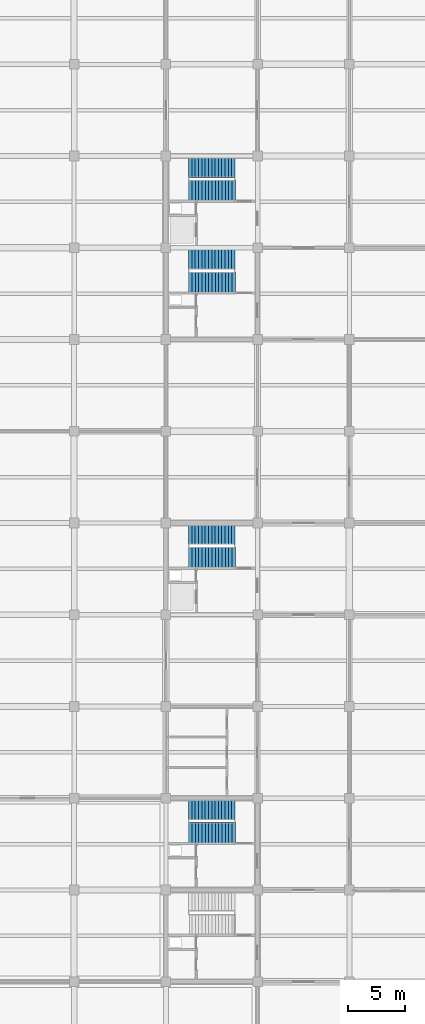
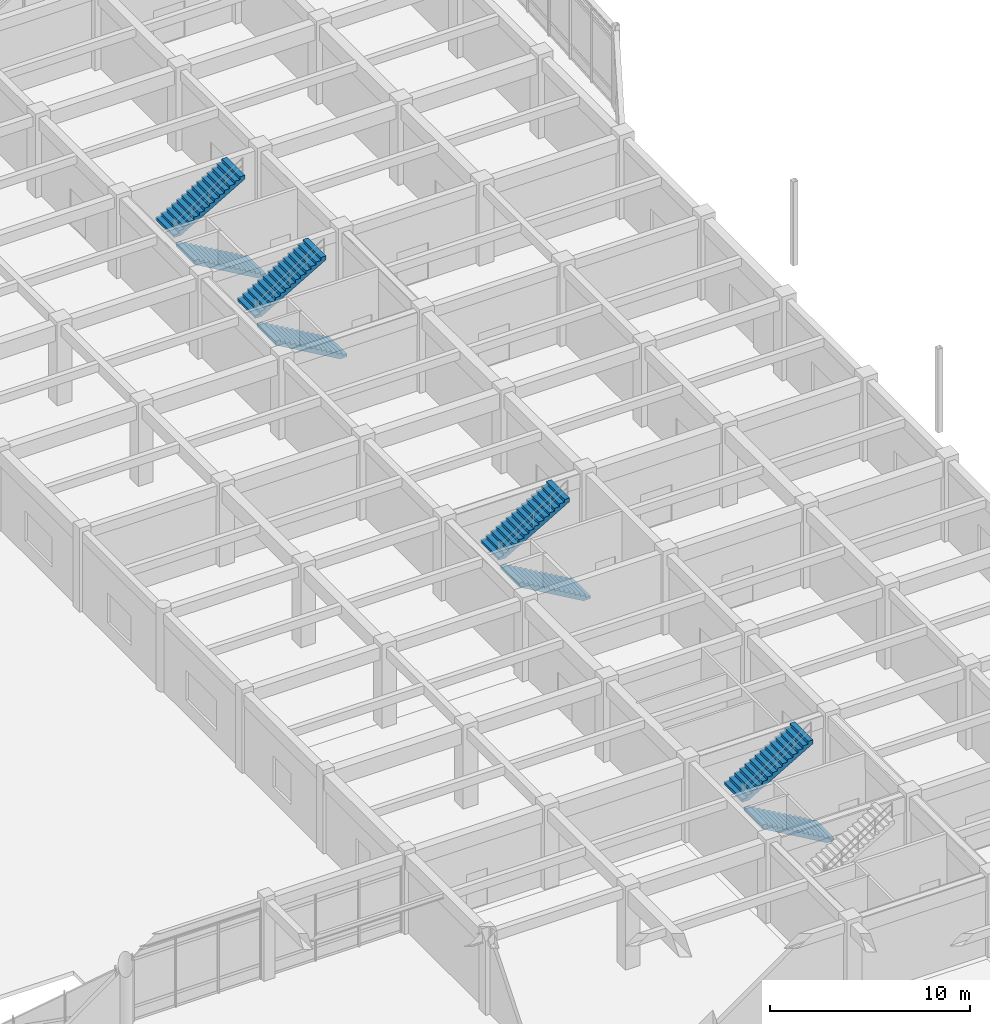
# One storey, part 75 of 99: 8 stair flights, 4 elements without a shape of their own.
"""IFC4 building model written with IfcOpenShell, lengths in metres."""

from ifc_helpers import new_model, si_unit, direction, frame, origin, place, context, subcontext, project, spatial, polyline, outline, extrude, material, type_object, element, aggregate, save


model = new_model("IFC4")

# Units and contexts
model_context = context("Model", 3, precision=1e-05, world=origin(), true_north=direction((0.0, 1.0)))
body_context = subcontext(model_context, "Body", "Model", "MODEL_VIEW")
ifc_project = project(units=[si_unit("LENGTHUNIT", "METRE"), si_unit("AREAUNIT", "SQUARE_METRE"), si_unit("VOLUMEUNIT", "CUBIC_METRE"), si_unit("PLANEANGLEUNIT", "RADIAN"), si_unit("MASSUNIT", "GRAM", prefix="KILO")], contexts=[model_context])

# Site, building, storey
site_placement = place(None, origin())
site = spatial("IfcSite", under=ifc_project, at=site_placement, CompositionType="ELEMENT")
building_placement = place(site_placement, origin())
building = spatial("IfcBuilding", under=site, at=building_placement, Name="Vaudrelin Polytechnic", CompositionType="ELEMENT")
storey_placement = place(building_placement, origin())
storey = spatial("IfcBuildingStorey", under=building, at=storey_placement, Name="L00", CompositionType="ELEMENT", Elevation=0.0)

# Stair, stair flights
ifc_material = material(Name="Concrete 35 MPa", Category="concrete")
stair_type = type_object("IfcStairType", Name="STR-ST-CORE", PredefinedType="TWO_STRAIGHT_RUN_STAIR", material=ifc_material)
stair_1_placement = place(storey_placement, origin())
stair_1 = element("IfcStair", 1, at=stair_1_placement, inside=storey, type_object=stair_type, Name="Exit stair ST-06-L00", PredefinedType="TWO_STRAIGHT_RUN_STAIR")
stair_flight_type = type_object("IfcStairFlightType", Name="STF-STF-CORE", PredefinedType="STRAIGHT", material=ifc_material)
stair_flight_1_placement = place(storey_placement, frame((151.93994140625, 102.27001953125, 0.0), z_axis=(0.0, 0.0, 1.0), x_axis=(-1.0, 0.0, 0.0)))
stair_flight_1 = element("IfcStairFlight", 2, at=stair_flight_1_placement, type_object=stair_flight_type, Name="ST-06-L00 flight 1", NumberOfRisers=15, NumberOfTreads=14, PredefinedType="STRAIGHT", RiserHeight=0.17, TreadLength=0.295, context=body_context, shape_type="SweptSolid", body=[
    extrude(outline(polyline([(0.0, 0.0), (0.0, 0.169921875), (0.294921875, 0.169921875), (0.294921875, 0.340087890625), (0.590087890625, 0.340087890625), (0.590087890625, 0.510009765625), (0.885009765625, 0.510009765625), (0.885009765625, 0.679931640625), (1.179931640625, 0.679931640625), (1.179931640625, 0.85009765625), (1.47509765625, 0.85009765625), (1.47509765625, 1.02001953125), (1.77001953125, 1.02001953125), (1.77001953125, 1.18994140625), (2.06494140625, 1.18994140625), (2.06494140625, 1.360107421875), (2.360107421875, 1.360107421875), (2.360107421875, 1.530029296875), (2.655029296875, 1.530029296875), (2.655029296875, 1.699951171875), (2.949951171875, 1.699951171875), (2.949951171875, 1.8701171875), (3.2451171875, 1.8701171875), (3.2451171875, 2.0400390625), (3.5400390625, 2.0400390625), (3.5400390625, 2.2099609375), (3.8349609375, 2.2099609375), (3.8349609375, 2.3798828125), (4.1298828125, 2.3798828125), (4.1298828125, 2.550048828125), (4.1298828125, 2.149169921875), (0.400390625, 0.0), (0.0, 0.0)])), frame((0.0, 0.91015625, 0.0), z_axis=(0.0, -1.0, 0.0), x_axis=(1.0, 0.0, 0.0)), (0.0, 0.0, 1.0), 1.820068359375),
])
stair_flight_2_placement = place(storey_placement, frame((147.81005859375, 104.2900390625, 2.550048828125), z_axis=(0.0, 0.0, 1.0), x_axis=(1.0, 0.0, 0.0)))
stair_flight_2 = element("IfcStairFlight", 3, at=stair_flight_2_placement, type_object=stair_flight_type, Name="ST-06-L00 flight 2", NumberOfRisers=15, NumberOfTreads=14, PredefinedType="STRAIGHT", RiserHeight=0.17, TreadLength=0.29214, context=body_context, shape_type="SweptSolid", body=[
    extrude(outline(polyline([(0.0, 0.0), (0.0, 0.169921875), (0.292236328125, 0.169921875), (0.292236328125, 0.340087890625), (0.584228515625, 0.340087890625), (0.584228515625, 0.510009765625), (0.87646484375, 0.510009765625), (0.87646484375, 0.679931640625), (1.16845703125, 0.679931640625), (1.16845703125, 0.85009765625), (1.460693359375, 0.85009765625), (1.460693359375, 1.02001953125), (1.7529296875, 1.02001953125), (1.7529296875, 1.18994140625), (2.044921875, 1.18994140625), (2.044921875, 1.360107421875), (2.337158203125, 1.360107421875), (2.337158203125, 1.530029296875), (2.629150390625, 1.530029296875), (2.629150390625, 1.699951171875), (2.92138671875, 1.699951171875), (2.92138671875, 1.8701171875), (3.213623046875, 1.8701171875), (3.213623046875, 2.0400390625), (3.505615234375, 2.0400390625), (3.505615234375, 2.2099609375), (3.7978515625, 2.2099609375), (3.7978515625, 2.3798828125), (4.08984375, 2.3798828125), (4.08984375, 2.550048828125), (4.08984375, 2.148681640625), (0.3974609375, 0.0), (0.0, 0.0)])), frame((0.0, 0.91015625, 0.0), z_axis=(0.0, -1.0, 0.0), x_axis=(1.0, 0.0, 0.0)), (0.0, 0.0, 1.0), 1.820068359375),
])
aggregate(stair_1, [stair_flight_1, stair_flight_2])

stair_2_placement = place(storey_placement, origin())
stair_2 = element("IfcStair", 4, at=stair_2_placement, inside=storey, type_object=stair_type, Name="Exit stair ST-07-L00", PredefinedType="TWO_STRAIGHT_RUN_STAIR")
stair_flight_3_placement = place(storey_placement, frame((151.93994140625, 69.8701171875, 0.0), z_axis=(0.0, 0.0, 1.0), x_axis=(-1.0, 0.0, 0.0)))
stair_flight_3 = element("IfcStairFlight", 5, at=stair_flight_3_placement, type_object=stair_flight_type, Name="ST-07-L00 flight 1", NumberOfRisers=15, NumberOfTreads=14, PredefinedType="STRAIGHT", RiserHeight=0.17, TreadLength=0.295, context=body_context, shape_type="SweptSolid", body=[
    extrude(outline(polyline([(0.0, 0.0), (0.0, 0.169921875), (0.294921875, 0.169921875), (0.294921875, 0.340087890625), (0.590087890625, 0.340087890625), (0.590087890625, 0.510009765625), (0.885009765625, 0.510009765625), (0.885009765625, 0.679931640625), (1.179931640625, 0.679931640625), (1.179931640625, 0.85009765625), (1.47509765625, 0.85009765625), (1.47509765625, 1.02001953125), (1.77001953125, 1.02001953125), (1.77001953125, 1.18994140625), (2.06494140625, 1.18994140625), (2.06494140625, 1.360107421875), (2.360107421875, 1.360107421875), (2.360107421875, 1.530029296875), (2.655029296875, 1.530029296875), (2.655029296875, 1.699951171875), (2.949951171875, 1.699951171875), (2.949951171875, 1.8701171875), (3.2451171875, 1.8701171875), (3.2451171875, 2.0400390625), (3.5400390625, 2.0400390625), (3.5400390625, 2.2099609375), (3.8349609375, 2.2099609375), (3.8349609375, 2.3798828125), (4.1298828125, 2.3798828125), (4.1298828125, 2.550048828125), (4.1298828125, 2.149169921875), (0.400390625, 0.0), (0.0, 0.0)])), frame((0.0, 0.91015625, 0.0), z_axis=(0.0, -1.0, 0.0), x_axis=(1.0, 0.0, 0.0)), (0.0, 0.0, 1.0), 1.820068359375),
])
stair_flight_4_placement = place(storey_placement, frame((147.81005859375, 71.889892578125, 2.550048828125), z_axis=(0.0, 0.0, 1.0), x_axis=(1.0, 0.0, 0.0)))
stair_flight_4 = element("IfcStairFlight", 6, at=stair_flight_4_placement, type_object=stair_flight_type, Name="ST-07-L00 flight 2", NumberOfRisers=15, NumberOfTreads=14, PredefinedType="STRAIGHT", RiserHeight=0.17, TreadLength=0.29214, context=body_context, shape_type="SweptSolid", body=[
    extrude(outline(polyline([(0.0, 0.0), (0.0, 0.169921875), (0.292236328125, 0.169921875), (0.292236328125, 0.340087890625), (0.584228515625, 0.340087890625), (0.584228515625, 0.510009765625), (0.87646484375, 0.510009765625), (0.87646484375, 0.679931640625), (1.16845703125, 0.679931640625), (1.16845703125, 0.85009765625), (1.460693359375, 0.85009765625), (1.460693359375, 1.02001953125), (1.7529296875, 1.02001953125), (1.7529296875, 1.18994140625), (2.044921875, 1.18994140625), (2.044921875, 1.360107421875), (2.337158203125, 1.360107421875), (2.337158203125, 1.530029296875), (2.629150390625, 1.530029296875), (2.629150390625, 1.699951171875), (2.92138671875, 1.699951171875), (2.92138671875, 1.8701171875), (3.213623046875, 1.8701171875), (3.213623046875, 2.0400390625), (3.505615234375, 2.0400390625), (3.505615234375, 2.2099609375), (3.7978515625, 2.2099609375), (3.7978515625, 2.3798828125), (4.08984375, 2.3798828125), (4.08984375, 2.550048828125), (4.08984375, 2.148681640625), (0.3974609375, 0.0), (0.0, 0.0)])), frame((0.0, 0.91015625, 0.0), z_axis=(0.0, -1.0, 0.0), x_axis=(1.0, 0.0, 0.0)), (0.0, 0.0, 1.0), 1.820068359375),
])
aggregate(stair_2, [stair_flight_3, stair_flight_4])

stair_3_placement = place(storey_placement, origin())
stair_3 = element("IfcStair", 7, at=stair_3_placement, inside=storey, type_object=stair_type, Name="Exit stair ST-12-L00", PredefinedType="TWO_STRAIGHT_RUN_STAIR")
stair_flight_5_placement = place(storey_placement, frame((151.93994140625, 45.570068359375, 0.0), z_axis=(0.0, 0.0, 1.0), x_axis=(-1.0, 0.0, 0.0)))
stair_flight_5 = element("IfcStairFlight", 8, at=stair_flight_5_placement, type_object=stair_flight_type, Name="ST-12-L00 flight 1", NumberOfRisers=15, NumberOfTreads=14, PredefinedType="STRAIGHT", RiserHeight=0.17, TreadLength=0.295, context=body_context, shape_type="SweptSolid", body=[
    extrude(outline(polyline([(0.0, 0.0), (0.0, 0.169921875), (0.294921875, 0.169921875), (0.294921875, 0.340087890625), (0.590087890625, 0.340087890625), (0.590087890625, 0.510009765625), (0.885009765625, 0.510009765625), (0.885009765625, 0.679931640625), (1.179931640625, 0.679931640625), (1.179931640625, 0.85009765625), (1.47509765625, 0.85009765625), (1.47509765625, 1.02001953125), (1.77001953125, 1.02001953125), (1.77001953125, 1.18994140625), (2.06494140625, 1.18994140625), (2.06494140625, 1.360107421875), (2.360107421875, 1.360107421875), (2.360107421875, 1.530029296875), (2.655029296875, 1.530029296875), (2.655029296875, 1.699951171875), (2.949951171875, 1.699951171875), (2.949951171875, 1.8701171875), (3.2451171875, 1.8701171875), (3.2451171875, 2.0400390625), (3.5400390625, 2.0400390625), (3.5400390625, 2.2099609375), (3.8349609375, 2.2099609375), (3.8349609375, 2.3798828125), (4.1298828125, 2.3798828125), (4.1298828125, 2.550048828125), (4.1298828125, 2.149169921875), (0.400390625, 0.0), (0.0, 0.0)])), frame((0.0, 0.91015625, 0.0), z_axis=(0.0, -1.0, 0.0), x_axis=(1.0, 0.0, 0.0)), (0.0, 0.0, 1.0), 1.820068359375),
])
stair_flight_6_placement = place(storey_placement, frame((147.81005859375, 47.590087890625, 2.550048828125), z_axis=(0.0, 0.0, 1.0), x_axis=(1.0, 0.0, 0.0)))
stair_flight_6 = element("IfcStairFlight", 9, at=stair_flight_6_placement, type_object=stair_flight_type, Name="ST-12-L00 flight 2", NumberOfRisers=15, NumberOfTreads=14, PredefinedType="STRAIGHT", RiserHeight=0.17, TreadLength=0.29214, context=body_context, shape_type="SweptSolid", body=[
    extrude(outline(polyline([(0.0, 0.0), (0.0, 0.169921875), (0.292236328125, 0.169921875), (0.292236328125, 0.340087890625), (0.584228515625, 0.340087890625), (0.584228515625, 0.510009765625), (0.87646484375, 0.510009765625), (0.87646484375, 0.679931640625), (1.16845703125, 0.679931640625), (1.16845703125, 0.85009765625), (1.460693359375, 0.85009765625), (1.460693359375, 1.02001953125), (1.7529296875, 1.02001953125), (1.7529296875, 1.18994140625), (2.044921875, 1.18994140625), (2.044921875, 1.360107421875), (2.337158203125, 1.360107421875), (2.337158203125, 1.530029296875), (2.629150390625, 1.530029296875), (2.629150390625, 1.699951171875), (2.92138671875, 1.699951171875), (2.92138671875, 1.8701171875), (3.213623046875, 1.8701171875), (3.213623046875, 2.0400390625), (3.505615234375, 2.0400390625), (3.505615234375, 2.2099609375), (3.7978515625, 2.2099609375), (3.7978515625, 2.3798828125), (4.08984375, 2.3798828125), (4.08984375, 2.550048828125), (4.08984375, 2.148681640625), (0.3974609375, 0.0), (0.0, 0.0)])), frame((0.0, 0.91015625, 0.0), z_axis=(0.0, -1.0, 0.0), x_axis=(1.0, 0.0, 0.0)), (0.0, 0.0, 1.0), 1.820068359375),
])
aggregate(stair_3, [stair_flight_5, stair_flight_6])

stair_4_placement = place(storey_placement, origin())
stair_4 = element("IfcStair", 10, at=stair_4_placement, inside=storey, type_object=stair_type, Name="Exit stair ST-13-L00", PredefinedType="TWO_STRAIGHT_RUN_STAIR")
stair_flight_7_placement = place(storey_placement, frame((151.93994140625, 94.169921875, 0.0), z_axis=(0.0, 0.0, 1.0), x_axis=(-1.0, 0.0, 0.0)))
stair_flight_7 = element("IfcStairFlight", 11, at=stair_flight_7_placement, type_object=stair_flight_type, Name="ST-13-L00 flight 1", NumberOfRisers=15, NumberOfTreads=14, PredefinedType="STRAIGHT", RiserHeight=0.17, TreadLength=0.295, context=body_context, shape_type="SweptSolid", body=[
    extrude(outline(polyline([(0.0, 0.0), (0.0, 0.169921875), (0.294921875, 0.169921875), (0.294921875, 0.340087890625), (0.590087890625, 0.340087890625), (0.590087890625, 0.510009765625), (0.885009765625, 0.510009765625), (0.885009765625, 0.679931640625), (1.179931640625, 0.679931640625), (1.179931640625, 0.85009765625), (1.47509765625, 0.85009765625), (1.47509765625, 1.02001953125), (1.77001953125, 1.02001953125), (1.77001953125, 1.18994140625), (2.06494140625, 1.18994140625), (2.06494140625, 1.360107421875), (2.360107421875, 1.360107421875), (2.360107421875, 1.530029296875), (2.655029296875, 1.530029296875), (2.655029296875, 1.699951171875), (2.949951171875, 1.699951171875), (2.949951171875, 1.8701171875), (3.2451171875, 1.8701171875), (3.2451171875, 2.0400390625), (3.5400390625, 2.0400390625), (3.5400390625, 2.2099609375), (3.8349609375, 2.2099609375), (3.8349609375, 2.3798828125), (4.1298828125, 2.3798828125), (4.1298828125, 2.550048828125), (4.1298828125, 2.149169921875), (0.400390625, 0.0), (0.0, 0.0)])), frame((0.0, 0.91015625, 0.0), z_axis=(0.0, -1.0, 0.0), x_axis=(1.0, 0.0, 0.0)), (0.0, 0.0, 1.0), 1.820068359375),
])
stair_flight_8_placement = place(storey_placement, frame((147.81005859375, 96.18994140625, 2.550048828125), z_axis=(0.0, 0.0, 1.0), x_axis=(1.0, 0.0, 0.0)))
stair_flight_8 = element("IfcStairFlight", 12, at=stair_flight_8_placement, type_object=stair_flight_type, Name="ST-13-L00 flight 2", NumberOfRisers=15, NumberOfTreads=14, PredefinedType="STRAIGHT", RiserHeight=0.17, TreadLength=0.29214, context=body_context, shape_type="SweptSolid", body=[
    extrude(outline(polyline([(0.0, 0.0), (0.0, 0.169921875), (0.292236328125, 0.169921875), (0.292236328125, 0.340087890625), (0.584228515625, 0.340087890625), (0.584228515625, 0.510009765625), (0.87646484375, 0.510009765625), (0.87646484375, 0.679931640625), (1.16845703125, 0.679931640625), (1.16845703125, 0.85009765625), (1.460693359375, 0.85009765625), (1.460693359375, 1.02001953125), (1.7529296875, 1.02001953125), (1.7529296875, 1.18994140625), (2.044921875, 1.18994140625), (2.044921875, 1.360107421875), (2.337158203125, 1.360107421875), (2.337158203125, 1.530029296875), (2.629150390625, 1.530029296875), (2.629150390625, 1.699951171875), (2.92138671875, 1.699951171875), (2.92138671875, 1.8701171875), (3.213623046875, 1.8701171875), (3.213623046875, 2.0400390625), (3.505615234375, 2.0400390625), (3.505615234375, 2.2099609375), (3.7978515625, 2.2099609375), (3.7978515625, 2.3798828125), (4.08984375, 2.3798828125), (4.08984375, 2.550048828125), (4.08984375, 2.148681640625), (0.3974609375, 0.0), (0.0, 0.0)])), frame((0.0, 0.91015625, 0.0), z_axis=(0.0, -1.0, 0.0), x_axis=(1.0, 0.0, 0.0)), (0.0, 0.0, 1.0), 1.820068359375),
])
aggregate(stair_4, [stair_flight_7, stair_flight_8])

save(model, "model.ifc")
